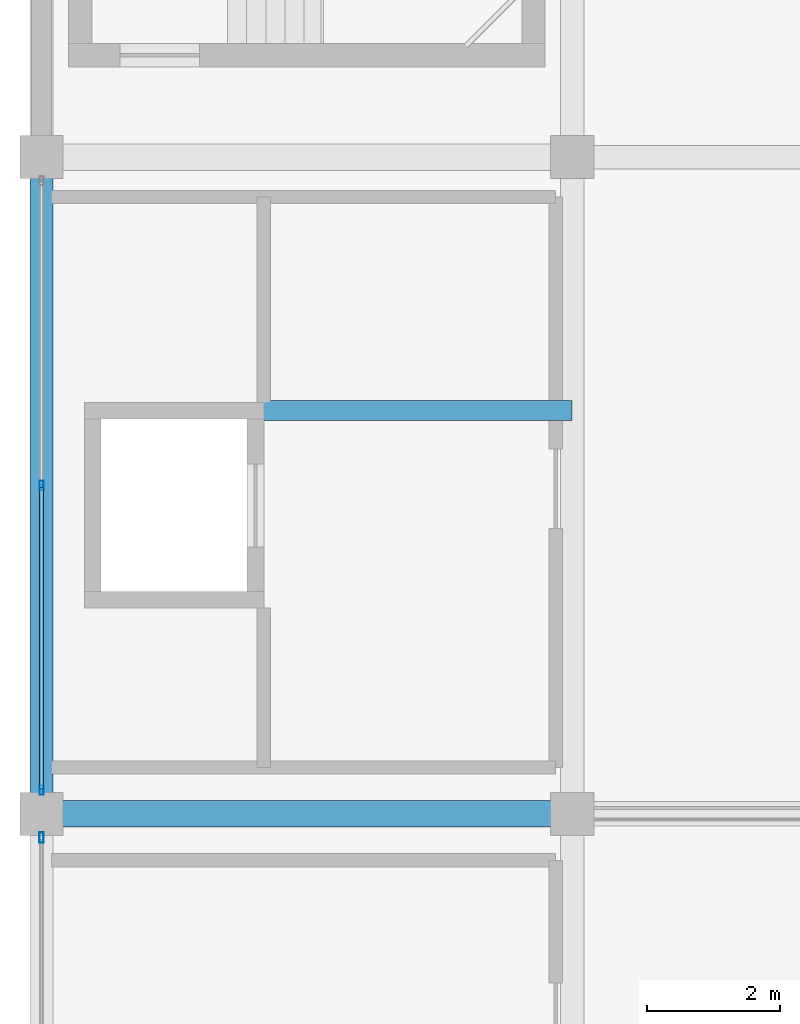
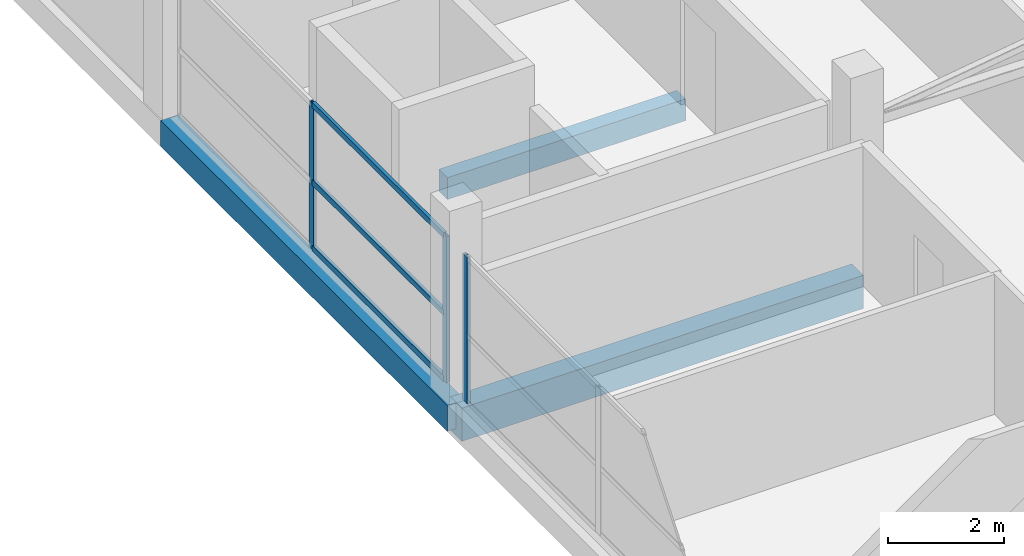
# One storey, part 24 of 53: 6 members, 3 beams, 2 elements without a shape of their own.
"""IFC4 building model written with IfcOpenShell, lengths in metres."""

from ifc_helpers import new_model, si_unit, direction, frame, origin, origin_2d, place, context, subcontext, project, spatial, rectangle, hollow_rectangle, extrude, material, layer, layer_set, material_profile, profile_set, type_object, element, aggregate, save


model = new_model("IFC4")

# Units and contexts
model_context = context("Model", 3, precision=1e-05, world=origin(), true_north=direction((0.0, 1.0)))
body_context = subcontext(model_context, "Body", "Model", "MODEL_VIEW")
ifc_project = project(units=[si_unit("LENGTHUNIT", "METRE"), si_unit("AREAUNIT", "SQUARE_METRE"), si_unit("VOLUMEUNIT", "CUBIC_METRE"), si_unit("PLANEANGLEUNIT", "RADIAN"), si_unit("MASSUNIT", "GRAM", prefix="KILO")], contexts=[model_context])

# Site, building, storey
site_placement = place(None, origin())
site = spatial("IfcSite", under=ifc_project, at=site_placement, CompositionType="ELEMENT")
building_placement = place(site_placement, origin())
building = spatial("IfcBuilding", under=site, at=building_placement, Name="Sillaruma Civic Art Gallery", CompositionType="ELEMENT")
storey_placement = place(building_placement, frame((0.0, 0.0, 70.3798828125)))
storey = spatial("IfcBuildingStorey", under=building, at=storey_placement, Name="L14", CompositionType="ELEMENT", Elevation=70.3798828125)

# Beams
ifc_material_1 = material(Name="Concrete H35 (35 MPa)", Category="concrete")
ifc_material_profile_1 = material_profile(ifc_material_1, rectangle(XDim=0.39990234375, YDim=0.699951171875, at=origin_2d()), Name="RCB400x700")
ifc_profile_set_1 = profile_set([ifc_material_profile_1], Name="Concrete H35 (35 MPa)")
beam_type_1 = type_object("IfcBeamType", Name="BM-BEAM-RCB400x700", PredefinedType="BEAM", material=ifc_profile_set_1)
beam_1_placement = place(storey_placement, frame((62.0, 69.300048828125, -0.599853515625), z_axis=(1.0, 0.0, 0.0), x_axis=(0.0, 1.0, 0.0)))
element("IfcBeam", 1, at=beam_1_placement, inside=storey, type_object=beam_type_1, Name="Beam BM-04 (L13:8:F-G)", PredefinedType="BEAM", context=body_context, shape_type="SweptSolid", body=[
    extrude(rectangle(XDim=0.39990234375, YDim=0.699951171875, at=origin_2d()), origin(), (0.0, 0.0, 1.0), 8.0),
])
ifc_material_profile_2 = material_profile(ifc_material_1, rectangle(XDim=0.300048828125, YDim=0.4599609375, at=origin_2d()), Name="RCB300x460")
ifc_profile_set_2 = profile_set([ifc_material_profile_2], Name="Concrete H35 (35 MPa)")
beam_type_2 = type_object("IfcBeamType", Name="BM-LINTEL-RCB300x460", PredefinedType="LINTEL", material=ifc_profile_set_2)
beam_2_placement = place(storey_placement, frame((65.25, 75.3798828125, -0.47998046875), z_axis=(1.0, 0.0, 0.0), x_axis=(0.0, 1.0, 0.0)))
element("IfcBeam", 2, at=beam_2_placement, inside=storey, type_object=beam_type_2, Name="Core Portal Coupling Lintel BL-01 (L13:FFL)", PredefinedType="LINTEL", context=body_context, shape_type="SweptSolid", body=[
    extrude(rectangle(XDim=0.300048828125, YDim=0.4599609375, at=origin_2d()), origin(), (0.0, 0.0, 1.0), 4.75),
])
ifc_material_profile_3 = material_profile(ifc_material_1, rectangle(XDim=0.35009765625, YDim=0.550048828125, at=origin_2d()), Name="RCB350x550")
ifc_profile_set_3 = profile_set([ifc_material_profile_3], Name="Concrete H35 (35 MPa)")
beam_type_3 = type_object("IfcBeamType", Name="BM-SPANDREL-RCB350x550", PredefinedType="SPANDREL", material=ifc_profile_set_3)
beam_3_placement = place(storey_placement, frame((62.0, 69.300048828125, -0.52490234375), z_axis=(0.0, 1.0, 0.0), x_axis=(-1.0, 0.0, 0.0)))
element("IfcBeam", 3, at=beam_3_placement, inside=storey, type_object=beam_type_3, Name="Beam BS-04 (L13:F:8-9)", PredefinedType="SPANDREL", context=body_context, shape_type="SweptSolid", body=[
    extrude(rectangle(XDim=0.35009765625, YDim=0.550048828125, at=origin_2d()), origin(), (0.0, 0.0, 1.0), 9.89990234375),
])

# Curtain wall, members
ifc_material_2 = material(Name="Thermally Broken Extruded Aluminium 6063-T6", Category="aluminium")
ifc_layer_1 = layer(ifc_material_2, 0.139892578125, Name="Thermally Broken Extruded Aluminium 6063-T6")
ifc_layer_set_1 = layer_set([ifc_layer_1], Name="Thermally Broken Extruded Aluminium 6063-T6")
curtain_wall_type_1 = type_object("IfcCurtainWallType", Name="CW-UNI-105", PredefinedType="NOTDEFINED", material=ifc_layer_set_1)
curtain_wall_1_placement = place(storey_placement, origin())
curtain_wall_1 = element("IfcCurtainWall", 4, at=curtain_wall_1_placement, inside=storey, type_object=curtain_wall_type_1, Name="Unitised Curtain Wall CW-105 (CW-L14-WBW-6)", PredefinedType="NOTDEFINED")
ifc_material_profile_4 = material_profile(ifc_material_2, hollow_rectangle(XDim=0.06005859375, YDim=0.139892578125, WallThickness=0.00341796875, at=origin_2d()), Name="CWM60x140")
ifc_profile_set_4 = profile_set([ifc_material_profile_4], Name="Thermally Broken Extruded Aluminium 6063-T6")
member_type_1 = type_object("IfcMemberType", Name="MEM-MUL-CWM60x140", PredefinedType="MULLION", material=ifc_profile_set_4)
member_1_placement = place(storey_placement, frame((62.0, 69.655029296875, 0.0), z_axis=(0.0, 0.0, 1.0), x_axis=(-1.0, 0.0, 0.0)))
member_1 = element("IfcMember", 5, at=member_1_placement, type_object=member_type_1, Name="CW-105 mullion 1", PredefinedType="MULLION", context=body_context, shape_type="SweptSolid", body=[
    extrude(hollow_rectangle(XDim=0.06005859375, YDim=0.139892578125, WallThickness=0.00341796875, at=origin_2d()), origin(), (0.0, 0.0, 1.0), 3.080078125),
])
member_2_placement = place(storey_placement, frame((62.0, 74.25, 0.0), z_axis=(0.0, 0.0, 1.0), x_axis=(-1.0, 0.0, 0.0)))
member_2 = element("IfcMember", 6, at=member_2_placement, type_object=member_type_1, Name="CW-105 mullion 2", PredefinedType="MULLION", context=body_context, shape_type="SweptSolid", body=[
    extrude(hollow_rectangle(XDim=0.06005859375, YDim=0.139892578125, WallThickness=0.00341796875, at=origin_2d()), origin(), (0.0, 0.0, 1.0), 3.080078125),
])

# Curtain wall, member
ifc_layer_2 = layer(ifc_material_2, 0.159912109375, Name="Thermally Broken Extruded Aluminium 6063-T6")
ifc_layer_set_2 = layer_set([ifc_layer_2], Name="Thermally Broken Extruded Aluminium 6063-T6")
curtain_wall_type_2 = type_object("IfcCurtainWallType", Name="CW-UNI-94", PredefinedType="NOTDEFINED", material=ifc_layer_set_2)
curtain_wall_2_placement = place(storey_placement, origin())
curtain_wall_2 = element("IfcCurtainWall", 7, at=curtain_wall_2_placement, inside=storey, type_object=curtain_wall_type_2, Name="Unitised Curtain Wall CW-94 (CW-L14-WBW-5)", PredefinedType="NOTDEFINED")
ifc_material_profile_5 = material_profile(ifc_material_2, hollow_rectangle(XDim=0.06494140625, YDim=0.159912109375, WallThickness=0.00390625, at=origin_2d()), Name="CWM65x160")
ifc_profile_set_5 = profile_set([ifc_material_profile_5], Name="Thermally Broken Extruded Aluminium 6063-T6")
member_type_2 = type_object("IfcMemberType", Name="MEM-MUL-CWM65x160", PredefinedType="MULLION", material=ifc_profile_set_5)
member_3_placement = place(storey_placement, frame((62.0, 68.9423828125, 0.0), z_axis=(0.0, 0.0, 1.0), x_axis=(-1.0, 0.0, 0.0)))
member_3 = element("IfcMember", 8, at=member_3_placement, type_object=member_type_2, Name="CW-94 mullion 3", PredefinedType="MULLION", context=body_context, shape_type="SweptSolid", body=[
    extrude(hollow_rectangle(XDim=0.06494140625, YDim=0.159912109375, WallThickness=0.00390625, at=origin_2d()), origin(), (0.0, 0.0, 1.0), 3.080078125),
])
aggregate(curtain_wall_2, [member_3])

# Member
ifc_material_profile_6 = material_profile(ifc_material_2, hollow_rectangle(XDim=0.06494140625, YDim=0.1201171875, WallThickness=0.00341796875, at=origin_2d()), Name="CWT65x120")
ifc_profile_set_6 = profile_set([ifc_material_profile_6], Name="Thermally Broken Extruded Aluminium 6063-T6")
member_type_3 = type_object("IfcMemberType", Name="MEM-TRN-CWT65x120", PredefinedType="USERDEFINED", material=ifc_profile_set_6)
member_4_placement = place(storey_placement, frame((62.0, 69.68505859375, 0.03271484375), z_axis=(0.0, 1.0, 0.0), x_axis=(-1.0, 0.0, 0.0)))
member_4 = element("IfcMember", 9, at=member_4_placement, type_object=member_type_3, Name="CW-105 transom 1.1", ObjectType="TRANSOM", PredefinedType="USERDEFINED", context=body_context, shape_type="SweptSolid", body=[
    extrude(hollow_rectangle(XDim=0.06494140625, YDim=0.1201171875, WallThickness=0.00341796875, at=origin_2d()), origin(), (0.0, 0.0, 1.0), 4.534912109375),
])

member_5_placement = place(storey_placement, frame((62.0, 69.68505859375, 1.4169921875), z_axis=(0.0, 1.0, 0.0), x_axis=(-1.0, 0.0, 0.0)))
member_5 = element("IfcMember", 10, at=member_5_placement, type_object=member_type_3, Name="CW-105 transom 1.2", ObjectType="TRANSOM", PredefinedType="USERDEFINED", context=body_context, shape_type="SweptSolid", body=[
    extrude(hollow_rectangle(XDim=0.06494140625, YDim=0.1201171875, WallThickness=0.00341796875, at=origin_2d()), origin(), (0.0, 0.0, 1.0), 4.534912109375),
])

member_6_placement = place(storey_placement, frame((62.0, 69.68505859375, 3.047607421875), z_axis=(0.0, 1.0, 0.0), x_axis=(-1.0, 0.0, 0.0)))
member_6 = element("IfcMember", 11, at=member_6_placement, type_object=member_type_3, Name="CW-105 transom 1.3", ObjectType="TRANSOM", PredefinedType="USERDEFINED", context=body_context, shape_type="SweptSolid", body=[
    extrude(hollow_rectangle(XDim=0.06494140625, YDim=0.1201171875, WallThickness=0.00341796875, at=origin_2d()), origin(), (0.0, 0.0, 1.0), 4.534912109375),
])

aggregate(curtain_wall_1, [member_1, member_2, member_4, member_5, member_6])

save(model, "model.ifc")
